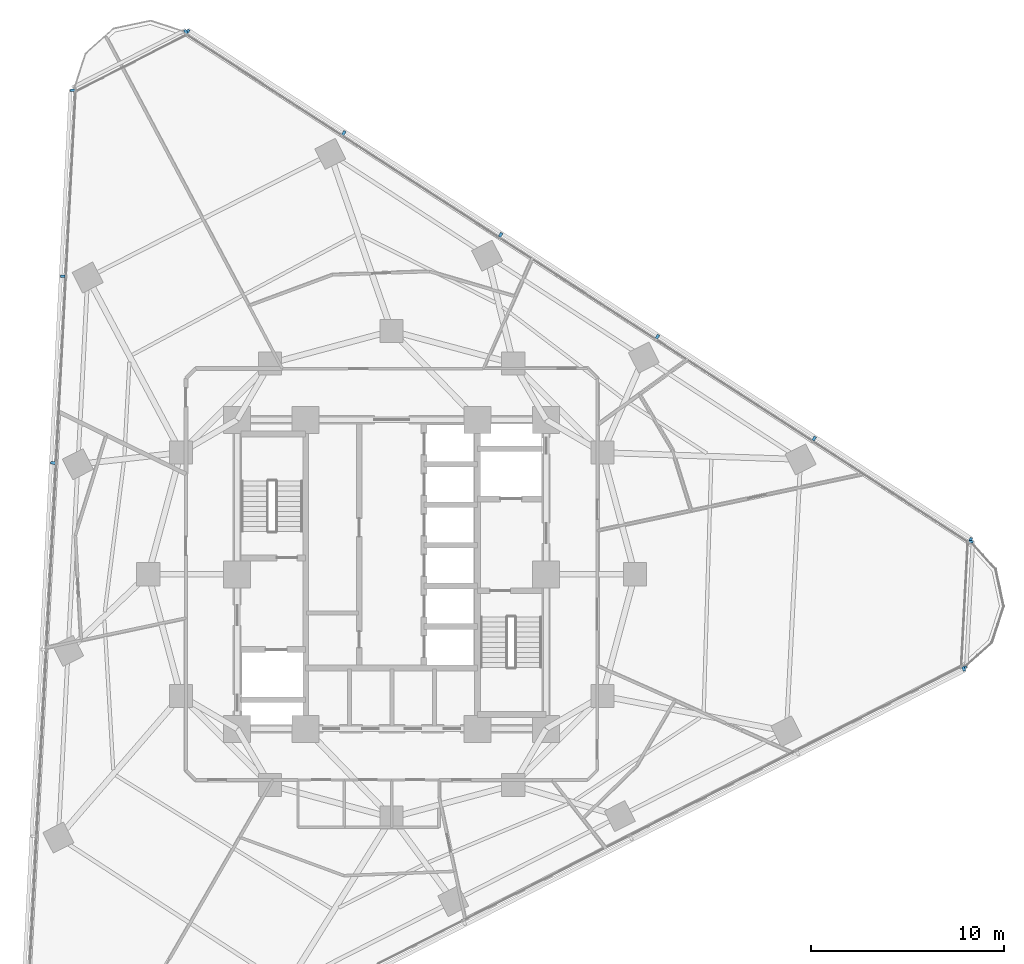
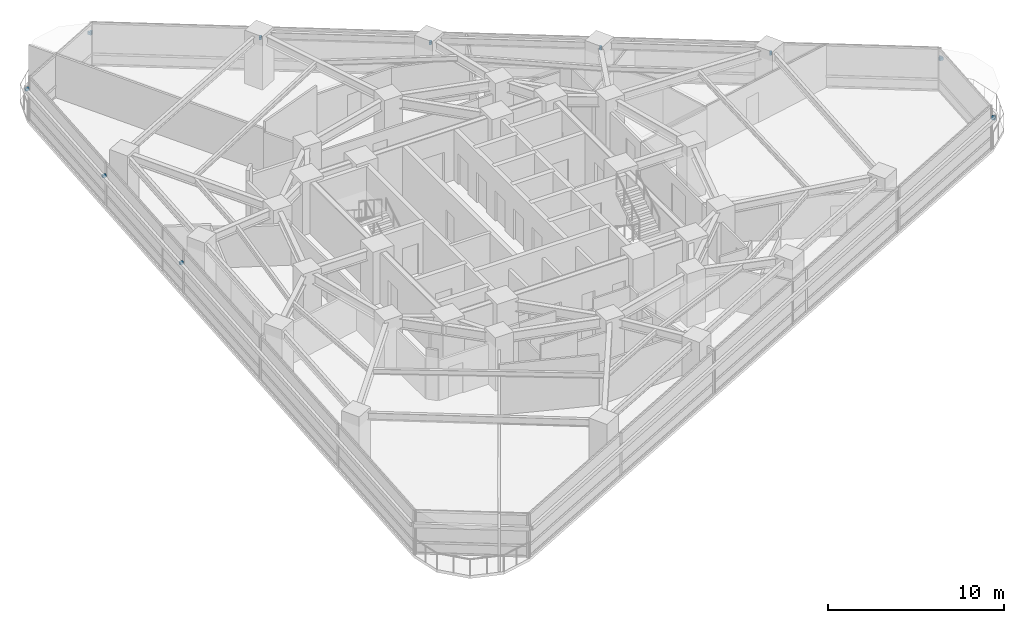
# One storey, part 11 of 14: 13 discrete accessories.
"""IFC4 building model written with IfcOpenShell, lengths in metres."""

from ifc_helpers import new_model, si_unit, direction, frame, origin, origin_2d, place, context, subcontext, project, spatial, rectangle, extrude, material, type_object, element, save


model = new_model("IFC4")

# Units and contexts
model_context = context("Model", 3, precision=1e-05, world=origin(), true_north=direction((0.0, 1.0)))
body_context = subcontext(model_context, "Body", "Model", "MODEL_VIEW")
ifc_project = project(units=[si_unit("LENGTHUNIT", "METRE"), si_unit("AREAUNIT", "SQUARE_METRE"), si_unit("VOLUMEUNIT", "CUBIC_METRE"), si_unit("PLANEANGLEUNIT", "RADIAN"), si_unit("MASSUNIT", "GRAM", prefix="KILO")], contexts=[model_context])

# Site, building, storey
site_placement = place(None, origin())
site = spatial("IfcSite", under=ifc_project, at=site_placement, CompositionType="ELEMENT")
building_placement = place(site_placement, origin())
building = spatial("IfcBuilding", under=site, at=building_placement, Name="Terralouvre Media Tower", CompositionType="ELEMENT")
storey_placement = place(building_placement, frame((0.0, 0.0, 142.10009765625)))
storey = spatial("IfcBuildingStorey", under=building, at=storey_placement, Name="L36", CompositionType="ELEMENT", Elevation=142.10009765625)

# Discrete accessories
ifc_material = material(Name="Anodised extruded aluminium 6063-T6", Category="aluminium")
discrete_accessory_type = type_object("IfcDiscreteAccessoryType", Name="Mullion Stand-Off Baguette Fixing Bracket BK-01", PredefinedType="BRACKET", material=ifc_material)
for number, where, z_axis, x_axis, name in (
    (1, (29.615478515625, -4.90087890625, 2.07373046875), (0.0, 0.0, 1.0), (0.891006501178, 0.4539905449, 0.0), "CW-L36-F0 Baguette Outrigger Bracket 1.06"),
    (2, (29.96533203125, 1.778564453125, 2.07373046875), (0.0, 0.0, 1.0), (-0.838670588944, 0.544639002681, 0.0), "CW-L36-F1 Baguette Outrigger Bracket 1.01"),
    (3, (21.87841796875, 7.030029296875, 2.07373046875), (0.0, 0.0, 1.0), (-0.838670588944, 0.544639002681, 0.0), "CW-L36-F1 Baguette Outrigger Bracket 1.02"),
    (4, (13.76025390625, 12.30224609375, 2.07373046875), (0.0, 0.0, 1.0), (-0.838670588944, 0.544639002681, 0.0), "CW-L36-F1 Baguette Outrigger Bracket 1.03"),
    (5, (5.641845703125, 17.574462890625, 2.07373046875), (0.0, 0.0, 1.0), (-0.838670588944, 0.544639002681, 0.0), "CW-L36-F1 Baguette Outrigger Bracket 1.04"),
    (6, (-2.4765625, 22.846435546875, 2.07373046875), (0.0, 0.0, 1.0), (-0.838670588944, 0.544639002681, 0.0), "CW-L36-F1 Baguette Outrigger Bracket 1.05"),
    (7, (-10.563232421875, 28.09814453125, 2.07373046875), (0.0, 0.0, 1.0), (-0.838670588944, 0.544639002681, 0.0), "CW-L36-F1 Baguette Outrigger Bracket 1.06"),
    (8, (-16.52294921875, 25.0615234375, 2.07373046875), (0.0, 0.0, 1.0), (-0.052335949864, -0.998629535089, 0.0), "CW-L36-F2 Baguette Outrigger Bracket 1.01"),
    (9, (-17.027587890625, 15.432373046875, 2.07373046875), (0.0, 0.0, 1.0), (-0.052335949864, -0.998629535089, 0.0), "CW-L36-F2 Baguette Outrigger Bracket 1.02"),
    (10, (-17.5341796875, 5.765625, 2.07373046875), (0.0, 0.0, 1.0), (-0.052335949864, -0.998629535089, 0.0), "CW-L36-F2 Baguette Outrigger Bracket 1.03"),
    (11, (29.652587890625, -4.81201171875, 2.07373046875), (0.0, 0.0, 1.0), (0.052336823006, 0.998629489329, 0.0), "CW-L36-C1 Baguette Outrigger Bracket 1.01"),
    (12, (29.9931640625, 1.68603515625, 2.07373046875), (0.0, 0.0, 1.0), (0.052336823006, 0.998629489329, 0.0), "CW-L36-C1 Baguette Outrigger Bracket 1.02"),
    (13, (-10.6591796875, 28.085693359375, 2.07373046875), (0.0, 0.0, 1.0), (-0.891006600184, -0.45399035059, 0.0), "CW-L36-C2 Baguette Outrigger Bracket 1.01"),
):
    element("IfcDiscreteAccessory", number, at=place(storey_placement, frame(where, z_axis=z_axis, x_axis=x_axis)), inside=storey, type_object=discrete_accessory_type, Name=name, PredefinedType="BRACKET", context=body_context, shape_type="SweptSolid", body=[
        extrude(rectangle(XDim=0.139892578125, YDim=0.239990234375, at=origin_2d()), origin(), (0.0, 0.0, 1.0), 0.179931640625),
    ])

save(model, "model.ifc")
